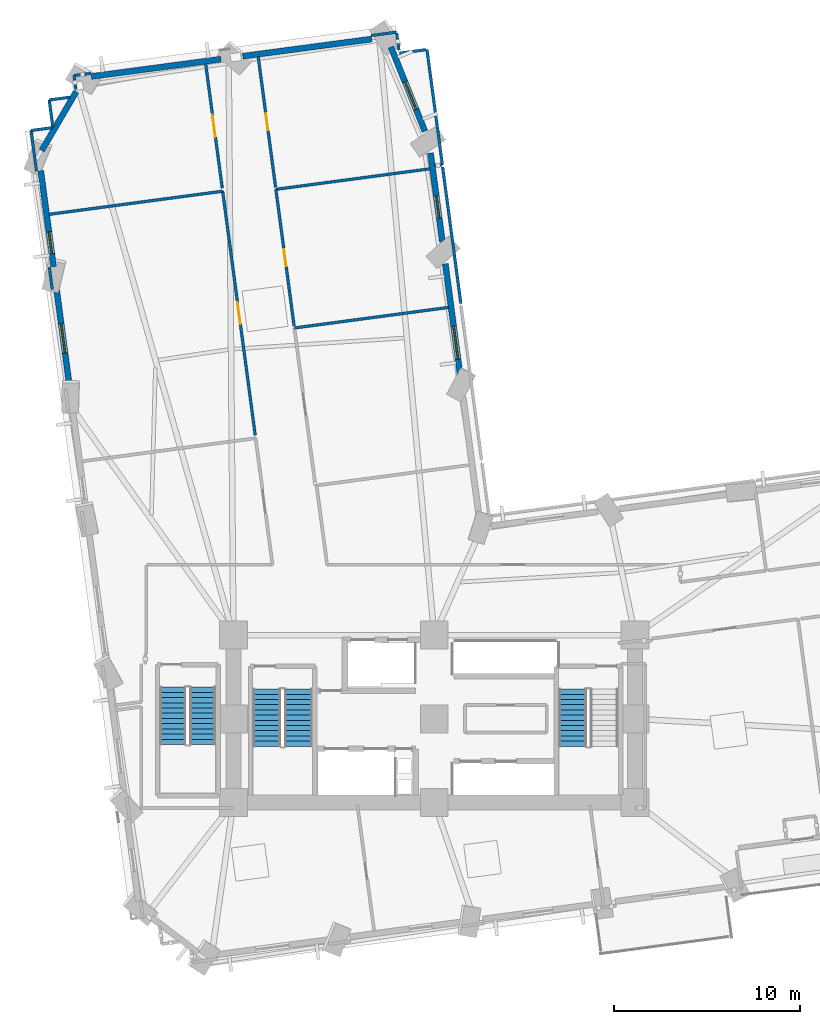
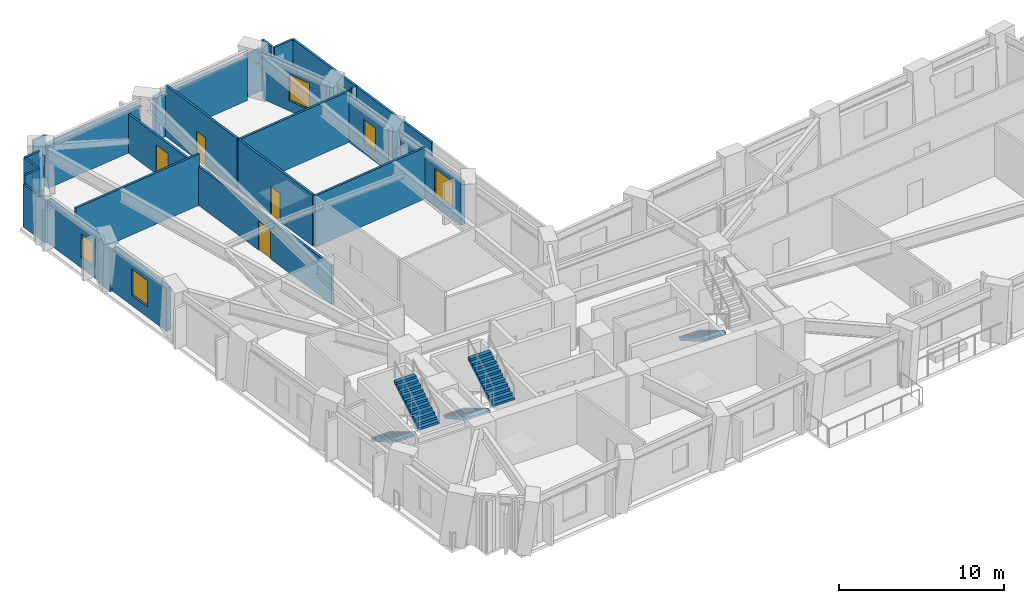
# One storey, part 9 of 14: 28 walls, 5 stair flights, 5 windows, 4 doors, 9 openings, 3 elements without a shape of their own.
"""IFC4 building model written with IfcOpenShell, lengths in metres."""

from ifc_helpers import new_model, si_unit, direction, frame, frame_2d, origin, place, context, subcontext, project, spatial, polyline, rectangle, outline, extrude, material, layer, layer_set, type_object, element, fill, aggregate, save


model = new_model("IFC4")

# Units and contexts
model_context = context("Model", 3, precision=1e-05, world=origin(), true_north=direction((0.0, 1.0)))
body_context = subcontext(model_context, "Body", "Model", "MODEL_VIEW")
ifc_project = project(units=[si_unit("LENGTHUNIT", "METRE"), si_unit("AREAUNIT", "SQUARE_METRE"), si_unit("VOLUMEUNIT", "CUBIC_METRE"), si_unit("PLANEANGLEUNIT", "RADIAN"), si_unit("MASSUNIT", "GRAM", prefix="KILO")], contexts=[model_context])

# Site, building, storey
site_placement = place(None, origin())
site = spatial("IfcSite", under=ifc_project, at=site_placement, CompositionType="ELEMENT")
building_placement = place(site_placement, origin())
building = spatial("IfcBuilding", under=site, at=building_placement, Name="Gaonmaruhae Medical Tower", CompositionType="ELEMENT")
storey_placement = place(building_placement, frame((0.0, 0.0, 55.0)))
storey = spatial("IfcBuildingStorey", under=building, at=storey_placement, Name="L12", CompositionType="ELEMENT", Elevation=55.0)

# Wall, opening, window
ifc_material_1 = material(Name="Precast concrete C45/55", Category="concrete")
ifc_layer_1 = layer(ifc_material_1, 0.320068359375)
ifc_layer_set_1 = layer_set([ifc_layer_1], Name="Precast concrete C45/55")
wall_type_1 = type_object("IfcWallType", Name="EW-320 Lower Precast Masonry-Frame Facade Wall", PredefinedType="SOLIDWALL", material=ifc_layer_set_1)
wall_1_placement = place(storey_placement, frame((26.188232421875, 30.823486328125, 0.0), z_axis=(0.0, 0.0, 1.0), x_axis=(-0.132238391297, 0.991217941659, 0.0)))
wall_1 = element("IfcWall", 1, at=wall_1_placement, inside=storey, type_object=wall_type_1, Name="L12 Precast Masonry-Frame Wall NE01-NE02", PredefinedType="SOLIDWALL", context=body_context, shape_type="SweptSolid", body=[
    extrude(rectangle(XDim=5.99658203125, YDim=0.320068359375, at=frame_2d((2.998291015625, 0.0))), origin(), (0.0, 0.0, 1.0), 3.1650390625),
])
opening_1_placement = place(wall_1_placement, frame((0.820068359375, 0.0, 0.75)))
opening_1 = element("IfcOpeningElement", 2, at=opening_1_placement, cuts=wall_1, Name="Opening WN-04", PredefinedType="OPENING", context=body_context, shape_type="SweptSolid", body=[
    extrude(rectangle(XDim=1.800048828125, YDim=2.050048828125, at=frame_2d((0.89990234375, 1.02490234375))), frame((0.0, 0.169921875, 0.0), z_axis=(0.0, -1.0, 0.0), x_axis=(1.0, 0.0, 0.0)), (0.0, 0.0, 1.0), 0.340087890625),
])
ifc_material_2 = material(Name="Anodised aluminium and Low-E double glazing", Category="aluminium")
window_type_1 = type_object("IfcWindowType", Name="WN-04 Clinic & Consult Punched Window 1800x2050", PartitioningType="SINGLE_PANEL", PredefinedType="WINDOW", material=ifc_material_2)
window_1_placement = place(opening_1_placement, origin())
window_1 = element("IfcWindow", 3, at=window_1_placement, inside=storey, type_object=window_type_1, Name="L12 Modular Facade Window NE01", OverallHeight=2.050048828125, OverallWidth=1.800048828125, PartitioningType="SINGLE_PANEL", PredefinedType="WINDOW", context=body_context, shape_type="SweptSolid", body=[
    extrude(rectangle(XDim=1.800048828125, YDim=2.050048828125, at=frame_2d((0.89990234375, 1.02490234375))), frame((0.0, 0.030029296875, 0.0), z_axis=(0.0, -1.0, 0.0), x_axis=(1.0, 0.0, 0.0)), (0.0, 0.0, 1.0), 0.06005859375),
])
fill(opening_1, window_1)

wall_2_placement = place(storey_placement, frame((25.237060546875, 37.95166015625, 0.0), z_axis=(0.0, 0.0, 1.0), x_axis=(-0.132253369946, 0.991215943242, 0.0)))
wall_2 = element("IfcWall", 4, at=wall_2_placement, inside=storey, type_object=wall_type_1, Name="L12 Precast Masonry-Frame Wall NE02-NE03", PredefinedType="SOLIDWALL", context=body_context, shape_type="SweptSolid", body=[
    extrude(rectangle(XDim=4.816162109375, YDim=0.320068359375, at=frame_2d((2.408203125, 0.0))), origin(), (0.0, 0.0, 1.0), 3.1650390625),
])
opening_2_placement = place(wall_2_placement, frame((1.2861328125, 0.0, 0.75)))
opening_2 = element("IfcOpeningElement", 5, at=opening_2_placement, cuts=wall_2, Name="Opening WN-05", PredefinedType="OPENING", context=body_context, shape_type="SweptSolid", body=[
    extrude(rectangle(XDim=1.199951171875, YDim=1.75, at=frame_2d((0.60009765625, 0.875))), frame((0.0, 0.169921875, 0.0), z_axis=(0.0, -1.0, 0.0), x_axis=(1.0, 0.0, 0.0)), (0.0, 0.0, 1.0), 0.340087890625),
])
window_type_2 = type_object("IfcWindowType", Name="WN-05 Support & Staff Punched Window 1200x1750", PartitioningType="SINGLE_PANEL", PredefinedType="WINDOW", material=ifc_material_2)
window_2_placement = place(opening_2_placement, origin())
window_2 = element("IfcWindow", 6, at=window_2_placement, inside=storey, type_object=window_type_2, Name="L12 Modular Facade Window NE02", OverallHeight=1.75, OverallWidth=1.199951171875, PartitioningType="SINGLE_PANEL", PredefinedType="WINDOW", context=body_context, shape_type="SweptSolid", body=[
    extrude(rectangle(XDim=1.199951171875, YDim=1.75, at=frame_2d((0.60009765625, 0.875))), frame((0.0, 0.030029296875, 0.0), z_axis=(0.0, -1.0, 0.0), x_axis=(1.0, 0.0, 0.0)), (0.0, 0.0, 1.0), 0.06005859375),
])
fill(opening_2, window_2)

wall_3_placement = place(storey_placement, frame((22.471923828125, 48.423583984375, 0.0), z_axis=(0.0, 0.0, 1.0), x_axis=(0.374316080682, -0.927301176395, 0.0)))
wall_3 = element("IfcWall", 7, at=wall_3_placement, inside=storey, type_object=wall_type_1, Name="L12 Precast Masonry-Frame Wall NE03-N01", PredefinedType="SOLIDWALL", context=body_context, shape_type="SweptSolid", body=[
    extrude(rectangle(XDim=4.88916015625, YDim=0.320068359375, at=frame_2d((2.444580078125, 0.0))), origin(), (0.0, 0.0, 1.0), 3.1650390625),
])
opening_3_placement = place(wall_3_placement, frame((2.014892578125, 0.0, 0.75)))
opening_3 = element("IfcOpeningElement", 8, at=opening_3_placement, cuts=wall_3, Name="Opening WN-01", PredefinedType="OPENING", context=body_context, shape_type="SweptSolid", body=[
    extrude(rectangle(XDim=1.60009765625, YDim=1.949951171875, at=frame_2d((0.800048828125, 0.97509765625))), frame((0.0, 0.169921875, 0.0), z_axis=(0.0, -1.0, 0.0), x_axis=(1.0, 0.0, 0.0)), (0.0, 0.0, 1.0), 0.340087890625),
])
window_type_3 = type_object("IfcWindowType", Name="WN-01 Ward Punched Acoustic Window 1600x1950", PartitioningType="SINGLE_PANEL", PredefinedType="WINDOW", material=ifc_material_2)
window_3_placement = place(opening_3_placement, origin())
window_3 = element("IfcWindow", 9, at=window_3_placement, inside=storey, type_object=window_type_3, Name="L12 Modular Facade Window NE03", OverallHeight=1.949951171875, OverallWidth=1.60009765625, PartitioningType="SINGLE_PANEL", PredefinedType="WINDOW", context=body_context, shape_type="SweptSolid", body=[
    extrude(rectangle(XDim=1.60009765625, YDim=1.949951171875, at=frame_2d((0.800048828125, 0.97509765625))), frame((0.0, 0.030029296875, 0.0), z_axis=(0.0, -1.0, 0.0), x_axis=(1.0, 0.0, 0.0)), (0.0, 0.0, 1.0), 0.06005859375),
])
fill(opening_3, window_3)

# Walls
wall_4_placement = place(storey_placement, frame((14.506103515625, 47.927978515625, 0.0), z_axis=(0.0, 0.0, 1.0), x_axis=(0.991218459324, 0.132234510981, 0.0)))
element("IfcWall", 10, at=wall_4_placement, inside=storey, type_object=wall_type_1, Name="L12 Precast Masonry-Frame Wall N01-N02", PredefinedType="SOLIDWALL", context=body_context, shape_type="SweptSolid", body=[
    extrude(rectangle(XDim=7.0029296875, YDim=0.320068359375, at=frame_2d((3.50146484375, 0.0))), origin(), (0.0, 0.0, 1.0), 3.1650390625),
])
wall_5_placement = place(storey_placement, frame((6.35888671875, 46.8408203125, 0.0), z_axis=(0.0, 0.0, 1.0), x_axis=(0.991214255341, 0.132266019857, 0.0)))
element("IfcWall", 11, at=wall_5_placement, inside=storey, type_object=wall_type_1, Name="L12 Precast Masonry-Frame Wall N02-N03", PredefinedType="SOLIDWALL", context=body_context, shape_type="SweptSolid", body=[
    extrude(rectangle(XDim=7.034423828125, YDim=0.320068359375, at=frame_2d((3.51708984375, 0.0))), origin(), (0.0, 0.0, 1.0), 3.1650390625),
])
wall_6_placement = place(storey_placement, frame((3.695068359375, 42.8544921875, 0.0), z_axis=(0.0, 0.0, 1.0), x_axis=(0.504934807204, 0.863157483009, 0.0)))
element("IfcWall", 12, at=wall_6_placement, inside=storey, type_object=wall_type_1, Name="L12 Precast Masonry-Frame Wall N03-W01", PredefinedType="SOLIDWALL", context=body_context, shape_type="SweptSolid", body=[
    extrude(rectangle(XDim=3.666015625, YDim=0.320068359375, at=frame_2d((1.8330078125, 0.0))), origin(), (0.0, 0.0, 1.0), 3.1650390625),
])

# Wall, opening, window
wall_7_placement = place(storey_placement, frame((4.33251953125, 36.599365234375, 0.0), z_axis=(0.0, 0.0, 1.0), x_axis=(-0.132286193068, 0.991211563252, 0.0)))
wall_7 = element("IfcWall", 13, at=wall_7_placement, inside=storey, type_object=wall_type_1, Name="L12 Precast Masonry-Frame Wall W01-W02", PredefinedType="SOLIDWALL", context=body_context, shape_type="SweptSolid", body=[
    extrude(rectangle(XDim=5.222900390625, YDim=0.320068359375, at=frame_2d((2.611328125, 0.0))), origin(), (0.0, 0.0, 1.0), 3.1650390625),
])
opening_4_placement = place(wall_7_placement, frame((0.714599609375, 0.0, 0.75)))
opening_4 = element("IfcOpeningElement", 14, at=opening_4_placement, cuts=wall_7, Name="Opening WN-05", PredefinedType="OPENING", context=body_context, shape_type="SweptSolid", body=[
    extrude(rectangle(XDim=1.199951171875, YDim=1.75, at=frame_2d((0.60009765625, 0.875))), frame((0.0, 0.169921875, 0.0), z_axis=(0.0, -1.0, 0.0), x_axis=(1.0, 0.0, 0.0)), (0.0, 0.0, 1.0), 0.340087890625),
])
window_4_placement = place(opening_4_placement, origin())
window_4 = element("IfcWindow", 15, at=window_4_placement, inside=storey, type_object=window_type_2, Name="L12 Modular Facade Window W01", OverallHeight=1.75, OverallWidth=1.199951171875, PartitioningType="SINGLE_PANEL", PredefinedType="WINDOW", context=body_context, shape_type="SweptSolid", body=[
    extrude(rectangle(XDim=1.199951171875, YDim=1.75, at=frame_2d((0.60009765625, 0.875))), frame((0.0, 0.030029296875, 0.0), z_axis=(0.0, -1.0, 0.0), x_axis=(1.0, 0.0, 0.0)), (0.0, 0.0, 1.0), 0.06005859375),
])
fill(opening_4, window_4)

wall_8_placement = place(storey_placement, frame((5.2041015625, 30.06640625, 0.0), z_axis=(0.0, 0.0, 1.0), x_axis=(-0.132270316662, 0.991213681973, 0.0)))
wall_8 = element("IfcWall", 16, at=wall_8_placement, inside=storey, type_object=wall_type_1, Name="L12 Precast Masonry-Frame Wall W02-W03", PredefinedType="SOLIDWALL", context=body_context, shape_type="SweptSolid", body=[
    extrude(rectangle(XDim=5.400634765625, YDim=0.320068359375, at=frame_2d((2.7001953125, 0.0))), origin(), (0.0, 0.0, 1.0), 3.1650390625),
])
opening_5_placement = place(wall_8_placement, frame((1.898193359375, 0.0, 0.75)))
opening_5 = element("IfcOpeningElement", 17, at=opening_5_placement, cuts=wall_8, Name="Opening WN-01", PredefinedType="OPENING", context=body_context, shape_type="SweptSolid", body=[
    extrude(rectangle(XDim=1.60009765625, YDim=1.949951171875, at=frame_2d((0.800048828125, 0.97509765625))), frame((0.0, 0.169921875, 0.0), z_axis=(0.0, -1.0, 0.0), x_axis=(1.0, 0.0, 0.0)), (0.0, 0.0, 1.0), 0.340087890625),
])
window_5_placement = place(opening_5_placement, origin())
window_5 = element("IfcWindow", 18, at=window_5_placement, inside=storey, type_object=window_type_3, Name="L12 Modular Facade Window W02", OverallHeight=1.949951171875, OverallWidth=1.60009765625, PartitioningType="SINGLE_PANEL", PredefinedType="WINDOW", context=body_context, shape_type="SweptSolid", body=[
    extrude(rectangle(XDim=1.60009765625, YDim=1.949951171875, at=frame_2d((0.800048828125, 0.97509765625))), frame((0.0, 0.030029296875, 0.0), z_axis=(0.0, -1.0, 0.0), x_axis=(1.0, 0.0, 0.0)), (0.0, 0.0, 1.0), 0.06005859375),
])
fill(opening_5, window_5)

# Wall
ifc_material_3 = material(Name="Gypsum board partition", Category="gypsum")
ifc_layer_2 = layer(ifc_material_3, 0.14990234375)
ifc_layer_set_2 = layer_set([ifc_layer_2], Name="Gypsum board partition")
wall_type_2 = type_object("IfcWallType", Name="PW-150 Rated Clinical Corridor Partition", PredefinedType="PARTITIONING", material=ifc_layer_set_2)
wall_9_placement = place(storey_placement, frame((4.091064453125, 39.426025390625, 0.0), z_axis=(0.0, 0.0, 1.0), x_axis=(0.991221332239, 0.132212974079, 0.0)))
element("IfcWall", 19, at=wall_9_placement, inside=storey, type_object=wall_type_2, Name="L12 Interior Partition L12-WOF07-55", PredefinedType="PARTITIONING", context=body_context, shape_type="SweptSolid", body=[
    extrude(rectangle(XDim=9.415771484375, YDim=0.14990234375, at=frame_2d((4.7080078125, 0.0))), origin(), (0.0, 0.0, 1.0), 3.780029296875),
])

# Wall, opening, door
wall_10_placement = place(storey_placement, frame((13.424072265625, 40.6708984375, 0.0), z_axis=(0.0, 0.0, 1.0), x_axis=(0.132248267647, -0.991216624005, 0.0)))
wall_10 = element("IfcWall", 20, at=wall_10_placement, inside=storey, type_object=wall_type_2, Name="L12 Interior Partition L12-WOF07-56", PredefinedType="PARTITIONING", context=body_context, shape_type="SweptSolid", body=[
    extrude(rectangle(XDim=13.239990234375, YDim=0.14990234375, at=frame_2d((6.6201171875, 0.0))), origin(), (0.0, 0.0, 1.0), 2.864990234375),
])
opening_6_placement = place(wall_10_placement, frame((6.02001953125, 0.0, 0.0)))
opening_6 = element("IfcOpeningElement", 21, at=opening_6_placement, cuts=wall_10, Name="Opening CD-02", PredefinedType="OPENING", context=body_context, shape_type="SweptSolid", body=[
    extrude(rectangle(XDim=1.199951171875, YDim=2.14990234375, at=frame_2d((0.60009765625, 1.074951171875))), frame((0.0, 0.0849609375, 0.0), z_axis=(0.0, -1.0, 0.0), x_axis=(1.0, 0.0, 0.0)), (0.0, 0.0, 1.0), 0.169921875),
])
ifc_material_4 = material(Name="Antimicrobial laminate timber fire door", Category="wood")
door_type_1 = type_object("IfcDoorType", Name="CD-02 Clinical Treatment & Procedure Door 1200x2150", OperationType="NOTDEFINED", PredefinedType="DOOR", material=ifc_material_4)
door_1_placement = place(opening_6_placement, origin())
door_1 = element("IfcDoor", 22, at=door_1_placement, inside=storey, type_object=door_type_1, Name="L12 Ward Physician Reporting Office Door", OperationType="SINGLE_SWING_RIGHT", OverallHeight=2.14990234375, OverallWidth=1.199951171875, PredefinedType="DOOR", context=body_context, shape_type="SweptSolid", body=[
    extrude(rectangle(XDim=1.199951171875, YDim=2.14990234375, at=frame_2d((0.60009765625, 1.074951171875))), frame((0.0, 0.02490234375, 0.0), z_axis=(0.0, -1.0, 0.0), x_axis=(1.0, 0.0, 0.0)), (0.0, 0.0, 1.0), 0.050048828125),
])
fill(opening_6, door_1)

# Walls
wall_11_placement = place(storey_placement, frame((4.261962890625, 35.388916015625, 0.0), z_axis=(0.0, 0.0, 1.0), x_axis=(-0.131854777678, 0.991269044005, 0.0)))
element("IfcWall", 23, at=wall_11_placement, inside=storey, type_object=wall_type_2, Name="L12 Interior Partition L12-WOF07-58", PredefinedType="PARTITIONING", context=body_context, shape_type="SweptSolid", body=[
    extrude(rectangle(XDim=1.190673828125, YDim=0.14990234375, at=frame_2d((0.59521484375, 0.0))), origin(), (0.0, 0.0, 1.0), 3.1650390625),
])
wall_12_placement = place(storey_placement, frame((4.093017578125, 45.580078125, 0.0), z_axis=(0.0, 0.0, 1.0), x_axis=(0.991284028558, 0.131742076523, 0.0)))
element("IfcWall", 24, at=wall_12_placement, inside=storey, type_object=wall_type_2, Name="L12 Interior Partition L12-WOF08-59", PredefinedType="PARTITIONING", context=body_context, shape_type="SweptSolid", body=[
    extrude(rectangle(XDim=1.137939453125, YDim=0.14990234375, at=frame_2d((0.56884765625, 0.0))), origin(), (0.0, 0.0, 1.0), 3.780029296875),
])
wall_13_placement = place(storey_placement, frame((5.529052734375, 46.153076171875, 0.0), z_axis=(0.0, 0.0, 1.0), x_axis=(-0.132206803719, 0.991222155246, 0.0)))
element("IfcWall", 25, at=wall_13_placement, inside=storey, type_object=wall_type_2, Name="L12 Interior Partition L12-WOF08-60", PredefinedType="PARTITIONING", context=body_context, shape_type="SweptSolid", body=[
    extrude(rectangle(XDim=0.742431640625, YDim=0.14990234375, at=frame_2d((0.37109375, 0.0))), origin(), (0.0, 0.0, 1.0), 2.864990234375),
])
wall_14_placement = place(storey_placement, frame((5.430908203125, 46.888916015625, 0.0), z_axis=(0.0, 0.0, 1.0), x_axis=(0.991167081628, 0.132619064604, 0.0)))
element("IfcWall", 26, at=wall_14_placement, inside=storey, type_object=wall_type_2, Name="L12 Interior Partition L12-WOF08-61", PredefinedType="PARTITIONING", context=body_context, shape_type="SweptSolid", body=[
    extrude(rectangle(XDim=0.9130859375, YDim=0.14990234375, at=frame_2d((0.45654296875, 0.0))), origin(), (0.0, 0.0, 1.0), 3.780029296875),
])

# Wall, opening, door
wall_15_placement = place(storey_placement, frame((12.509033203125, 47.52490234375, 0.0), z_axis=(0.0, 0.0, 1.0), x_axis=(0.132367335559, -0.991200730668, 0.0)))
wall_15 = element("IfcWall", 27, at=wall_15_placement, inside=storey, type_object=wall_type_2, Name="L12 Interior Partition L12-WOF08-62", PredefinedType="PARTITIONING", context=body_context, shape_type="SweptSolid", body=[
    extrude(rectangle(XDim=6.754150390625, YDim=0.14990234375, at=frame_2d((3.376953125, 0.0))), origin(), (0.0, 0.0, 1.0), 2.864990234375),
])
opening_7_placement = place(wall_15_placement, frame((2.777099609375, 0.0, 0.0)))
opening_7 = element("IfcOpeningElement", 28, at=opening_7_placement, cuts=wall_15, Name="Opening CD-02", PredefinedType="OPENING", context=body_context, shape_type="SweptSolid", body=[
    extrude(rectangle(XDim=1.199951171875, YDim=2.14990234375, at=frame_2d((0.60009765625, 1.074951171875))), frame((0.0, 0.0849609375, 0.0), z_axis=(0.0, -1.0, 0.0), x_axis=(1.0, 0.0, 0.0)), (0.0, 0.0, 1.0), 0.169921875),
])
door_2_placement = place(opening_7_placement, origin())
door_2 = element("IfcDoor", 29, at=door_2_placement, inside=storey, type_object=door_type_1, Name="L12 Ward Physician Reporting Office Door", OperationType="SINGLE_SWING_RIGHT", OverallHeight=2.14990234375, OverallWidth=1.199951171875, PredefinedType="DOOR", context=body_context, shape_type="SweptSolid", body=[
    extrude(rectangle(XDim=1.199951171875, YDim=2.14990234375, at=frame_2d((0.60009765625, 1.074951171875))), frame((0.0, 0.02490234375, 0.0), z_axis=(0.0, -1.0, 0.0), x_axis=(1.0, 0.0, 0.0)), (0.0, 0.0, 1.0), 0.050048828125),
])
fill(opening_7, door_2)

# Walls
wall_16_placement = place(storey_placement, frame((3.4130859375, 41.74609375, 0.0), z_axis=(0.0, 0.0, 1.0), x_axis=(-0.13210583879, 0.99123561647, 0.0)))
element("IfcWall", 30, at=wall_16_placement, inside=storey, type_object=wall_type_2, Name="L12 Interior Partition L12-WOF08-63", PredefinedType="PARTITIONING", context=body_context, shape_type="SweptSolid", body=[
    extrude(rectangle(XDim=2.210205078125, YDim=0.14990234375, at=frame_2d((1.10498046875, 0.0))), origin(), (0.0, 0.0, 1.0), 3.1650390625),
])
wall_17_placement = place(storey_placement, frame((3.12109375, 43.93701171875, 0.0), z_axis=(0.0, 0.0, 1.0), x_axis=(0.991214917044, 0.132261060895, 0.0)))
element("IfcWall", 31, at=wall_17_placement, inside=storey, type_object=wall_type_2, Name="L12 Interior Partition L12-WOF08-64", PredefinedType="PARTITIONING", context=body_context, shape_type="SweptSolid", body=[
    extrude(rectangle(XDim=1.14990234375, YDim=0.14990234375, at=frame_2d((0.574951171875, 0.0))), origin(), (0.0, 0.0, 1.0), 3.780029296875),
])
wall_18_placement = place(storey_placement, frame((4.285888671875, 44.132080078125, 0.0), z_axis=(0.0, 0.0, 1.0), x_axis=(-0.132032350719, 0.991245407739, 0.0)))
element("IfcWall", 32, at=wall_18_placement, inside=storey, type_object=wall_type_2, Name="L12 Interior Partition L12-WOF08-65", PredefinedType="PARTITIONING", context=body_context, shape_type="SweptSolid", body=[
    extrude(rectangle(XDim=1.460693359375, YDim=0.14990234375, at=frame_2d((0.73046875, 0.0))), origin(), (0.0, 0.0, 1.0), 3.780029296875),
])
wall_19_placement = place(storey_placement, frame((17.280029296875, 33.31591796875, 0.0), z_axis=(0.0, 0.0, 1.0), x_axis=(0.991218467397, 0.13223445047, 0.0)))
element("IfcWall", 33, at=wall_19_placement, inside=storey, type_object=wall_type_2, Name="L12 Interior Partition L12-IN01-81", PredefinedType="PARTITIONING", context=body_context, shape_type="SweptSolid", body=[
    extrude(rectangle(XDim=8.365478515625, YDim=0.14990234375, at=frame_2d((4.1826171875, 0.0))), origin(), (0.0, 0.0, 1.0), 3.780029296875),
])

# Wall, opening, door
wall_20_placement = place(storey_placement, frame((17.263916015625, 33.43505859375, 0.0), z_axis=(0.0, 0.0, 1.0), x_axis=(-0.132168042254, 0.991227324385, 0.0)))
wall_20 = element("IfcWall", 34, at=wall_20_placement, inside=storey, type_object=wall_type_2, Name="L12 Interior Partition L12-IN02-83", PredefinedType="PARTITIONING", context=body_context, shape_type="SweptSolid", body=[
    extrude(rectangle(XDim=7.39990234375, YDim=0.14990234375, at=frame_2d((3.699951171875, 0.0))), origin(), (0.0, 0.0, 1.0), 3.780029296875),
])
opening_8_placement = place(wall_20_placement, frame((3.239990234375, 0.0, 0.0)))
opening_8 = element("IfcOpeningElement", 35, at=opening_8_placement, cuts=wall_20, Name="Opening UD-01", PredefinedType="OPENING", context=body_context, shape_type="SweptSolid", body=[
    extrude(rectangle(XDim=0.919921875, YDim=2.10009765625, at=frame_2d((0.4599609375, 1.050048828125))), frame((0.0, 0.0849609375, 0.0), z_axis=(0.0, -1.0, 0.0), x_axis=(1.0, 0.0, 0.0)), (0.0, 0.0, 1.0), 0.169921875),
])
ifc_material_5 = material(Name="Powder-coated steel utility door", Category="steel")
door_type_2 = type_object("IfcDoorType", Name="UD-01 Toilet, Utility & Housekeeping Door 920x2100", OperationType="NOTDEFINED", PredefinedType="DOOR", material=ifc_material_5)
door_3_placement = place(opening_8_placement, origin())
door_3 = element("IfcDoor", 36, at=door_3_placement, inside=storey, type_object=door_type_2, Name="L12 Ward Nutrition Pantry Door", OperationType="SINGLE_SWING_LEFT", OverallHeight=2.10009765625, OverallWidth=0.919921875, PredefinedType="DOOR", context=body_context, shape_type="SweptSolid", body=[
    extrude(rectangle(XDim=0.919921875, YDim=2.10009765625, at=frame_2d((0.4599609375, 1.050048828125))), frame((0.0, 0.02490234375, 0.0), z_axis=(0.0, -1.0, 0.0), x_axis=(1.0, 0.0, 0.0)), (0.0, 0.0, 1.0), 0.050048828125),
])
fill(opening_8, door_3)

# Walls
wall_21_placement = place(storey_placement, frame((16.285888671875, 40.77001953125, 0.0), z_axis=(0.0, 0.0, 1.0), x_axis=(0.991220251545, 0.132221075957, 0.0)))
element("IfcWall", 37, at=wall_21_placement, inside=storey, type_object=wall_type_2, Name="L12 Interior Partition L12-IN02-84", PredefinedType="PARTITIONING", context=body_context, shape_type="SweptSolid", body=[
    extrude(rectangle(XDim=8.364501953125, YDim=0.14990234375, at=frame_2d((4.18212890625, 0.0))), origin(), (0.0, 0.0, 1.0), 3.780029296875),
])
wall_22_placement = place(storey_placement, frame((25.256103515625, 41.967041015625, 0.0), z_axis=(0.0, 0.0, 1.0), x_axis=(0.132297703643, -0.991210026993, 0.0)))
element("IfcWall", 38, at=wall_22_placement, inside=storey, type_object=wall_type_2, Name="L12 Interior Partition L12-IN02-85", PredefinedType="PARTITIONING", context=body_context, shape_type="SweptSolid", body=[
    extrude(rectangle(XDim=7.39990234375, YDim=0.14990234375, at=frame_2d((3.699951171875, 0.0))), origin(), (0.0, 0.0, 1.0), 3.780029296875),
])
wall_23_placement = place(storey_placement, frame((24.412109375, 48.291015625, 0.0), z_axis=(0.0, 0.0, 1.0), x_axis=(0.132248020299, -0.991216657006, 0.0)))
element("IfcWall", 39, at=wall_23_placement, inside=storey, type_object=wall_type_2, Name="L12 Interior Partition L12-IN03-86", PredefinedType="PARTITIONING", context=body_context, shape_type="SweptSolid", body=[
    extrude(rectangle(XDim=6.260009765625, YDim=0.14990234375, at=frame_2d((3.1298828125, 0.0))), origin(), (0.0, 0.0, 1.0), 3.780029296875),
])
wall_24_placement = place(storey_placement, frame((25.18994140625, 42.0791015625, 0.0), z_axis=(0.0, 0.0, 1.0), x_axis=(-0.991233756992, -0.132119790343, 0.0)))
element("IfcWall", 40, at=wall_24_placement, inside=storey, type_object=wall_type_2, Name="L12 Interior Partition L12-IN03-87", PredefinedType="PARTITIONING", context=body_context, shape_type="SweptSolid", body=[
    extrude(rectangle(XDim=0.364013671875, YDim=0.14990234375, at=frame_2d((0.18212890625, 0.0))), origin(), (0.0, 0.0, 1.0), 3.780029296875),
])

# Wall, opening, door
wall_25_placement = place(storey_placement, frame((16.27001953125, 40.888916015625, 0.0), z_axis=(0.0, 0.0, 1.0), x_axis=(-0.132294810416, 0.99121041315, 0.0)))
wall_25 = element("IfcWall", 41, at=wall_25_placement, inside=storey, type_object=wall_type_2, Name="L12 Interior Partition L12-IN03-88", PredefinedType="PARTITIONING", context=body_context, shape_type="SweptSolid", body=[
    extrude(rectangle(XDim=7.075439453125, YDim=0.14990234375, at=frame_2d((3.53759765625, 0.0))), origin(), (0.0, 0.0, 1.0), 3.780029296875),
])
opening_9_placement = place(wall_25_placement, frame((3.07763671875, 0.0, 0.0)))
opening_9 = element("IfcOpeningElement", 42, at=opening_9_placement, cuts=wall_25, Name="Opening UD-01", PredefinedType="OPENING", context=body_context, shape_type="SweptSolid", body=[
    extrude(rectangle(XDim=0.919921875, YDim=2.10009765625, at=frame_2d((0.4599609375, 1.050048828125))), frame((0.0, 0.0849609375, 0.0), z_axis=(0.0, -1.0, 0.0), x_axis=(1.0, 0.0, 0.0)), (0.0, 0.0, 1.0), 0.169921875),
])
door_4_placement = place(opening_9_placement, origin())
door_4 = element("IfcDoor", 43, at=door_4_placement, inside=storey, type_object=door_type_2, Name="L12 Public Visitor Toilet Door", OperationType="SINGLE_SWING_LEFT", OverallHeight=2.10009765625, OverallWidth=0.919921875, PredefinedType="DOOR", context=body_context, shape_type="SweptSolid", body=[
    extrude(rectangle(XDim=0.919921875, YDim=2.10009765625, at=frame_2d((0.4599609375, 1.050048828125))), frame((0.0, 0.02490234375, 0.0), z_axis=(0.0, -1.0, 0.0), x_axis=(1.0, 0.0, 0.0)), (0.0, 0.0, 1.0), 0.050048828125),
])
fill(opening_9, door_4)

# Walls
wall_26_placement = place(storey_placement, frame((21.422119140625, 49.0419921875, 0.0), z_axis=(0.0, 0.0, 1.0), x_axis=(0.991176270219, 0.132550372899, 0.0)))
element("IfcWall", 44, at=wall_26_placement, inside=storey, type_object=wall_type_2, Name="L12 Interior Partition L12-IN03-89", PredefinedType="PARTITIONING", context=body_context, shape_type="SweptSolid", body=[
    extrude(rectangle(XDim=1.36474609375, YDim=0.14990234375, at=frame_2d((0.682373046875, 0.0))), origin(), (0.0, 0.0, 1.0), 3.1650390625),
])
wall_27_placement = place(storey_placement, frame((22.781982421875, 49.173095703125, 0.0), z_axis=(0.0, 0.0, 1.0), x_axis=(0.132024236915, -0.991246488451, 0.0)))
element("IfcWall", 45, at=wall_27_placement, inside=storey, type_object=wall_type_2, Name="L12 Interior Partition L12-IN03-90", PredefinedType="PARTITIONING", context=body_context, shape_type="SweptSolid", body=[
    extrude(rectangle(XDim=0.917236328125, YDim=0.14990234375, at=frame_2d((0.45849609375, 0.0))), origin(), (0.0, 0.0, 1.0), 3.780029296875),
])
wall_28_placement = place(storey_placement, frame((22.926025390625, 48.093017578125, 0.0), z_axis=(0.0, 0.0, 1.0), x_axis=(0.991277872682, 0.131788387698, 0.0)))
element("IfcWall", 46, at=wall_28_placement, inside=storey, type_object=wall_type_2, Name="L12 Interior Partition L12-IN03-91", PredefinedType="PARTITIONING", context=body_context, shape_type="SweptSolid", body=[
    extrude(rectangle(XDim=1.44873046875, YDim=0.14990234375, at=frame_2d((0.724365234375, 0.0))), origin(), (0.0, 0.0, 1.0), 3.780029296875),
])

# Stair, stair flights
ifc_material_6 = material(Name="Concrete C40/50", Category="concrete")
stair_type_1 = type_object("IfcStairType", Name="ST-T1 Primary Core Escape Dogleg Stair", PredefinedType="TWO_QUARTER_TURN_STAIR", material=ifc_material_6)
stair_1_placement = place(storey_placement, origin())
stair_1 = element("IfcStair", 47, at=stair_1_placement, inside=storey, type_object=stair_type_1, Name="L12 Protected Escape Stair ST-01", PredefinedType="TWO_QUARTER_TURN_STAIR")
stair_flight_type_1 = type_object("IfcStairFlightType", Name="SF-T1 Primary Core Precast Stair Flight", PredefinedType="STRAIGHT", material=ifc_material_6)
stair_flight_1_placement = place(storey_placement, frame((15.800048828125, 13.89990234375, 0.0), z_axis=(0.0, 0.0, 1.0), x_axis=(0.0, -1.0, 0.0)))
stair_flight_1 = element("IfcStairFlight", 48, at=stair_flight_1_placement, type_object=stair_flight_type_1, Name="ST-01 flight 1", NumberOfRisers=12, NumberOfTreads=11, PredefinedType="STRAIGHT", RiserHeight=0.166666667, TreadLength=0.28, context=body_context, shape_type="SweptSolid", body=[
    extrude(outline(polyline([(0.0, 0.0), (0.0, 0.166748046875), (0.280029296875, 0.166748046875), (0.280029296875, 0.333251953125), (0.56005859375, 0.333251953125), (0.56005859375, 0.5), (0.840087890625, 0.5), (0.840087890625, 0.666748046875), (1.1201171875, 0.666748046875), (1.1201171875, 0.833251953125), (1.39990234375, 0.833251953125), (1.39990234375, 1.0), (1.679931640625, 1.0), (1.679931640625, 1.166748046875), (1.9599609375, 1.166748046875), (1.9599609375, 1.333251953125), (2.239990234375, 1.333251953125), (2.239990234375, 1.5), (2.52001953125, 1.5), (2.52001953125, 1.666748046875), (2.800048828125, 1.666748046875), (2.800048828125, 1.833251953125), (3.080078125, 1.833251953125), (3.080078125, 2.0), (3.080078125, 1.658935546875), (0.29296875, 0.0), (0.0, 0.0)])), frame((0.0, 0.75, 0.0), z_axis=(0.0, -1.0, 0.0), x_axis=(1.0, 0.0, 0.0)), (0.0, 0.0, 1.0), 1.5),
])
stair_flight_2_placement = place(storey_placement, frame((17.5, 10.820068359375, 2.0), z_axis=(0.0, 0.0, 1.0), x_axis=(0.0, 1.0, 0.0)))
stair_flight_2 = element("IfcStairFlight", 49, at=stair_flight_2_placement, type_object=stair_flight_type_1, Name="ST-01 flight 2", NumberOfRisers=12, NumberOfTreads=11, PredefinedType="STRAIGHT", RiserHeight=0.166666667, TreadLength=0.28, context=body_context, shape_type="SweptSolid", body=[
    extrude(outline(polyline([(0.0, 0.0), (0.0, 0.166748046875), (0.280029296875, 0.166748046875), (0.280029296875, 0.333251953125), (0.56005859375, 0.333251953125), (0.56005859375, 0.5), (0.840087890625, 0.5), (0.840087890625, 0.666748046875), (1.1201171875, 0.666748046875), (1.1201171875, 0.833251953125), (1.39990234375, 0.833251953125), (1.39990234375, 1.0), (1.679931640625, 1.0), (1.679931640625, 1.166748046875), (1.9599609375, 1.166748046875), (1.9599609375, 1.333251953125), (2.239990234375, 1.333251953125), (2.239990234375, 1.5), (2.52001953125, 1.5), (2.52001953125, 1.666748046875), (2.800048828125, 1.666748046875), (2.800048828125, 1.833251953125), (3.080078125, 1.833251953125), (3.080078125, 2.0), (3.080078125, 1.658935546875), (0.29296875, 0.0), (0.0, 0.0)])), frame((0.0, 0.75, 0.0), z_axis=(0.0, -1.0, 0.0), x_axis=(1.0, 0.0, 0.0)), (0.0, 0.0, 1.0), 1.5),
])
aggregate(stair_1, [stair_flight_1, stair_flight_2])

# Stair, stair flight
stair_2_placement = place(storey_placement, origin())
stair_2 = element("IfcStair", 50, at=stair_2_placement, inside=storey, type_object=stair_type_1, Name="L12 Protected Escape Stair ST-02", PredefinedType="TWO_QUARTER_TURN_STAIR")
stair_flight_3_placement = place(storey_placement, frame((32.25, 13.89990234375, 0.0), z_axis=(0.0, 0.0, 1.0), x_axis=(0.0, -1.0, 0.0)))
stair_flight_3 = element("IfcStairFlight", 51, at=stair_flight_3_placement, type_object=stair_flight_type_1, Name="ST-02 flight 1", NumberOfRisers=12, NumberOfTreads=11, PredefinedType="STRAIGHT", RiserHeight=0.166666667, TreadLength=0.28, context=body_context, shape_type="SweptSolid", body=[
    extrude(outline(polyline([(0.0, 0.0), (0.0, 0.166748046875), (0.280029296875, 0.166748046875), (0.280029296875, 0.333251953125), (0.56005859375, 0.333251953125), (0.56005859375, 0.5), (0.840087890625, 0.5), (0.840087890625, 0.666748046875), (1.1201171875, 0.666748046875), (1.1201171875, 0.833251953125), (1.39990234375, 0.833251953125), (1.39990234375, 1.0), (1.679931640625, 1.0), (1.679931640625, 1.166748046875), (1.9599609375, 1.166748046875), (1.9599609375, 1.333251953125), (2.239990234375, 1.333251953125), (2.239990234375, 1.5), (2.52001953125, 1.5), (2.52001953125, 1.666748046875), (2.800048828125, 1.666748046875), (2.800048828125, 1.833251953125), (3.080078125, 1.833251953125), (3.080078125, 2.0), (3.080078125, 1.658935546875), (0.29296875, 0.0), (0.0, 0.0)])), frame((0.0, 0.75, 0.0), z_axis=(0.0, -1.0, 0.0), x_axis=(1.0, 0.0, 0.0)), (0.0, 0.0, 1.0), 1.5),
])
aggregate(stair_2, [stair_flight_3])

# Stair, stair flights
stair_type_2 = type_object("IfcStairType", Name="ST-T2 Zone 1 Escape Dogleg Stair", PredefinedType="TWO_QUARTER_TURN_STAIR", material=ifc_material_6)
stair_3_placement = place(storey_placement, origin())
stair_3 = element("IfcStair", 52, at=stair_3_placement, inside=storey, type_object=stair_type_2, Name="L12 Protected Escape Stair ST-03", PredefinedType="TWO_QUARTER_TURN_STAIR")
stair_flight_type_2 = type_object("IfcStairFlightType", Name="SF-T2 Zone 1 Precast Stair Flight", PredefinedType="STRAIGHT", material=ifc_material_6)
stair_flight_4_placement = place(storey_placement, frame((10.75, 14.0, 0.0), z_axis=(0.0, 0.0, 1.0), x_axis=(0.0, -1.0, 0.0)))
stair_flight_4 = element("IfcStairFlight", 53, at=stair_flight_4_placement, type_object=stair_flight_type_2, Name="ST-03 flight 1", NumberOfRisers=12, NumberOfTreads=11, PredefinedType="STRAIGHT", RiserHeight=0.166666667, TreadLength=0.28, context=body_context, shape_type="SweptSolid", body=[
    extrude(outline(polyline([(0.0, 0.0), (0.0, 0.166748046875), (0.280029296875, 0.166748046875), (0.280029296875, 0.333251953125), (0.56005859375, 0.333251953125), (0.56005859375, 0.5), (0.840087890625, 0.5), (0.840087890625, 0.666748046875), (1.1201171875, 0.666748046875), (1.1201171875, 0.833251953125), (1.39990234375, 0.833251953125), (1.39990234375, 1.0), (1.679931640625, 1.0), (1.679931640625, 1.166748046875), (1.9599609375, 1.166748046875), (1.9599609375, 1.333251953125), (2.239990234375, 1.333251953125), (2.239990234375, 1.5), (2.52001953125, 1.5), (2.52001953125, 1.666748046875), (2.800048828125, 1.666748046875), (2.800048828125, 1.833251953125), (3.080078125, 1.833251953125), (3.080078125, 2.0), (3.080078125, 1.658935546875), (0.29296875, 0.0), (0.0, 0.0)])), frame((0.0, 0.699951171875, 0.0), z_axis=(0.0, -1.0, 0.0), x_axis=(1.0, 0.0, 0.0)), (0.0, 0.0, 1.0), 1.39990234375),
])
stair_flight_5_placement = place(storey_placement, frame((12.35009765625, 10.919921875, 2.0), z_axis=(0.0, 0.0, 1.0), x_axis=(0.0, 1.0, 0.0)))
stair_flight_5 = element("IfcStairFlight", 54, at=stair_flight_5_placement, type_object=stair_flight_type_2, Name="ST-03 flight 2", NumberOfRisers=12, NumberOfTreads=11, PredefinedType="STRAIGHT", RiserHeight=0.166666667, TreadLength=0.28, context=body_context, shape_type="SweptSolid", body=[
    extrude(outline(polyline([(0.0, 0.0), (0.0, 0.166748046875), (0.280029296875, 0.166748046875), (0.280029296875, 0.333251953125), (0.56005859375, 0.333251953125), (0.56005859375, 0.5), (0.840087890625, 0.5), (0.840087890625, 0.666748046875), (1.1201171875, 0.666748046875), (1.1201171875, 0.833251953125), (1.39990234375, 0.833251953125), (1.39990234375, 1.0), (1.679931640625, 1.0), (1.679931640625, 1.166748046875), (1.9599609375, 1.166748046875), (1.9599609375, 1.333251953125), (2.239990234375, 1.333251953125), (2.239990234375, 1.5), (2.52001953125, 1.5), (2.52001953125, 1.666748046875), (2.800048828125, 1.666748046875), (2.800048828125, 1.833251953125), (3.080078125, 1.833251953125), (3.080078125, 2.0), (3.080078125, 1.658935546875), (0.29296875, 0.0), (0.0, 0.0)])), frame((0.0, 0.699951171875, 0.0), z_axis=(0.0, -1.0, 0.0), x_axis=(1.0, 0.0, 0.0)), (0.0, 0.0, 1.0), 1.39990234375),
])
aggregate(stair_3, [stair_flight_4, stair_flight_5])

save(model, "model.ifc")
